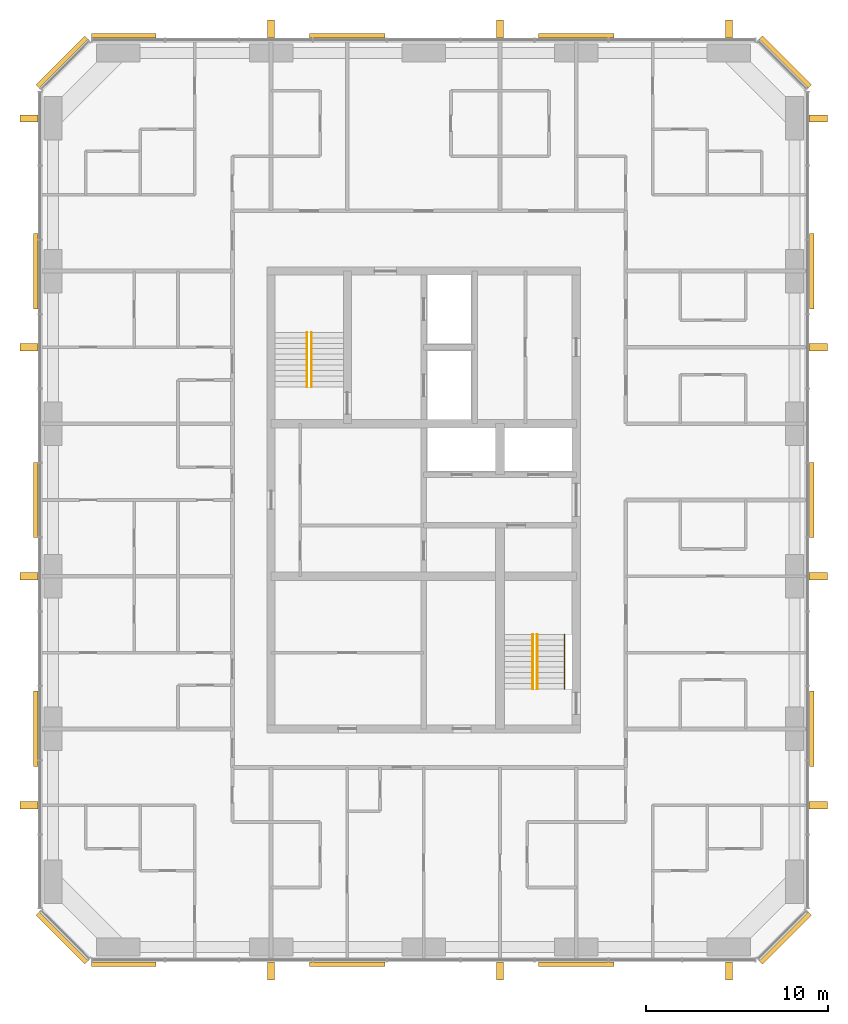
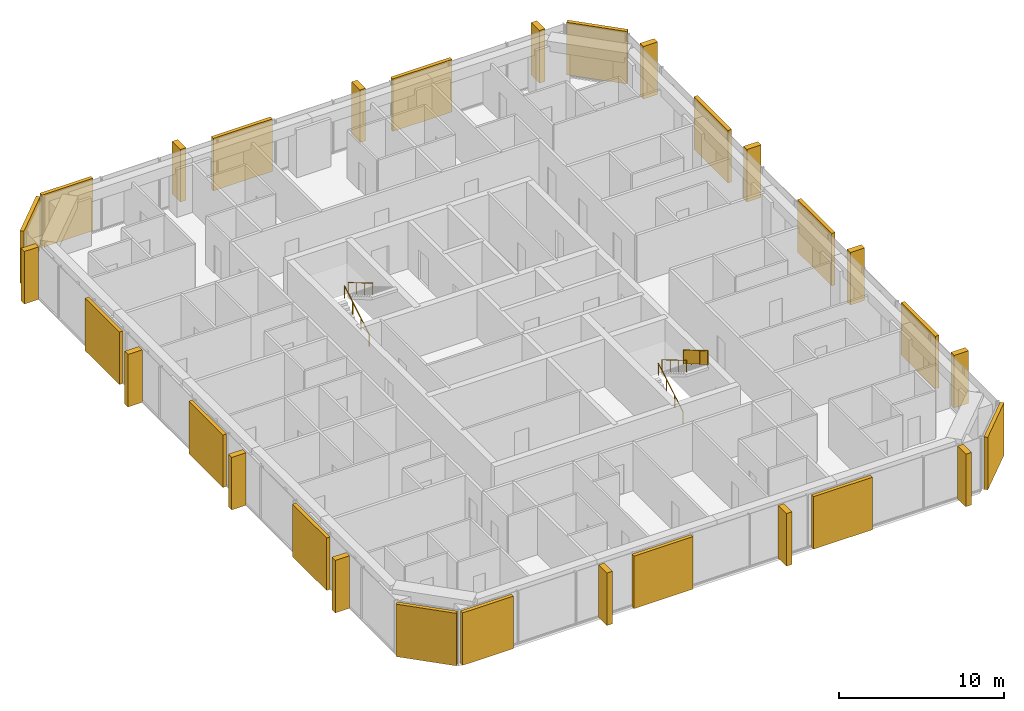
# One storey, part 12 of 12: 16 coverings, 14 shading devices, 5 railings.
"""IFC4 building model written with IfcOpenShell, lengths in metres."""

from ifc_helpers import new_model, si_unit, direction, frame, origin, origin_2d, place, context, subcontext, project, spatial, polyline, rectangle, circle, outline, extrude, material, layer, layer_set, type_object, element, save


model = new_model("IFC4")

# Units and contexts
model_context = context("Model", 3, precision=1e-05, world=origin(), true_north=direction((0.0, 1.0)))
body_context = subcontext(model_context, "Body", "Model", "MODEL_VIEW")
ifc_project = project(units=[si_unit("LENGTHUNIT", "METRE"), si_unit("AREAUNIT", "SQUARE_METRE"), si_unit("VOLUMEUNIT", "CUBIC_METRE"), si_unit("PLANEANGLEUNIT", "RADIAN"), si_unit("MASSUNIT", "GRAM", prefix="KILO")], contexts=[model_context])

# Site, building, storey
site_placement = place(None, origin())
site = spatial("IfcSite", under=ifc_project, at=site_placement, CompositionType="ELEMENT")
building_placement = place(site_placement, origin())
building = spatial("IfcBuilding", under=site, at=building_placement, Name="Dunama Terrace Hotel", CompositionType="ELEMENT")
storey_placement = place(building_placement, frame((0.0, 0.0, 252.89990234375)))
storey = spatial("IfcBuildingStorey", under=building, at=storey_placement, Name="L65", CompositionType="ELEMENT", Elevation=252.89990234375)

# Railings
ifc_material_1 = material(Name="Stainless steel and laminated glass guard", Category="steel")
railing_type_1 = type_object("IfcRailingType", Name="Guard 1100", PredefinedType="GUARDRAIL", material=ifc_material_1)
railing_1_placement = place(storey_placement, frame((41.35009765625, 22.0, 2.12744140625)))
element("IfcRailing", 1, at=railing_1_placement, inside=storey, type_object=railing_type_1, Name="Stair guard ST2 L65", PredefinedType="GUARDRAIL", context=body_context, shape_type="SweptSolid", body=[
    extrude(circle(Radius=0.02392578125, at=origin_2d()), frame((0.0, 0.0, 1.076171875), z_axis=(0.0, -0.86092931783, 0.508724591208), x_axis=(1.0, 0.0, 0.0)), (0.0, 0.0, 1.0), 3.484619140625),
    extrude(circle(Radius=0.02099609375, at=origin_2d()), origin(), (0.0, 0.0, 1.0), 1.052001953125),
    extrude(circle(Radius=0.02099609375, at=origin_2d()), frame((0.0, -1.0, 0.5908203125)), (0.0, 0.0, 1.0), 1.052001953125),
    extrude(circle(Radius=0.02099609375, at=origin_2d()), frame((0.0, -2.0, 1.181884765625)), (0.0, 0.0, 1.0), 1.052001953125),
    extrude(circle(Radius=0.02099609375, at=origin_2d()), frame((0.0, -3.0, 1.772705078125)), (0.0, 0.0, 1.0), 1.052001953125),
    extrude(outline(polyline([(0.0048828125, 0.052978515625), (0.9951171875, 0.63818359375), (0.9951171875, 1.6640625), (0.0048828125, 1.078857421875), (0.0048828125, 0.052978515625)])), frame((0.0087890625, 0.0, 0.0), z_axis=(-1.0, 0.0, 0.0), x_axis=(0.0, -1.0, 0.0)), (0.0, 0.0, 1.0), 0.017578125),
    extrude(outline(polyline([(0.0048828125, 0.052978515625), (0.9951171875, 0.63818359375), (0.9951171875, 1.6640625), (0.0048828125, 1.078857421875), (0.0048828125, 0.052978515625)])), frame((0.0087890625, -1.0, 0.5908203125), z_axis=(-1.0, 0.0, 0.0), x_axis=(0.0, -1.0, 0.0)), (0.0, 0.0, 1.0), 0.017578125),
    extrude(outline(polyline([(0.0048828125, 0.052978515625), (0.9951171875, 0.63818359375), (0.9951171875, 1.6640625), (0.0048828125, 1.078857421875), (0.0048828125, 0.052978515625)])), frame((0.0087890625, -2.0, 1.181884765625), z_axis=(-1.0, 0.0, 0.0), x_axis=(0.0, -1.0, 0.0)), (0.0, 0.0, 1.0), 0.017578125),
])
ifc_material_2 = material(Name="Stainless steel handrail", Category="steel")
railing_type_2 = type_object("IfcRailingType", Name="Stair handrail 900", PredefinedType="HANDRAIL", material=ifc_material_2)
railing_2_placement = place(storey_placement, frame((27.175048828125, 35.625, 0.177490234375)))
element("IfcRailing", 2, at=railing_2_placement, inside=storey, type_object=railing_type_2, Name="Handrail ST1 L65", PredefinedType="HANDRAIL", context=body_context, shape_type="SweptSolid", body=[
    extrude(circle(Radius=0.02392578125, at=origin_2d()), frame((0.0, 0.0, 0.8759765625), z_axis=(0.0, 0.86092931783, 0.508724591208), x_axis=(-1.0, 0.0, 0.0)), (0.0, 0.0, 1.0), 3.484619140625),
    extrude(circle(Radius=0.02099609375, at=origin_2d()), origin(), (0.0, 0.0, 1.0), 0.851806640625),
    extrude(circle(Radius=0.02099609375, at=origin_2d()), frame((0.0, 1.0, 0.5908203125)), (0.0, 0.0, 1.0), 0.851806640625),
    extrude(circle(Radius=0.02099609375, at=origin_2d()), frame((0.0, 2.0, 1.181884765625)), (0.0, 0.0, 1.0), 0.851806640625),
    extrude(circle(Radius=0.02099609375, at=origin_2d()), frame((0.0, 3.0, 1.772705078125)), (0.0, 0.0, 1.0), 0.851806640625),
])
railing_3_placement = place(storey_placement, frame((27.425048828125, 38.625, 2.12744140625)))
element("IfcRailing", 3, at=railing_3_placement, inside=storey, type_object=railing_type_2, Name="Handrail ST1 L65", PredefinedType="HANDRAIL", context=body_context, shape_type="SweptSolid", body=[
    extrude(circle(Radius=0.02392578125, at=origin_2d()), frame((0.0, 0.0, 0.8759765625), z_axis=(0.0, -0.86092931783, 0.508724591208), x_axis=(1.0, 0.0, 0.0)), (0.0, 0.0, 1.0), 3.484619140625),
    extrude(circle(Radius=0.02099609375, at=origin_2d()), origin(), (0.0, 0.0, 1.0), 0.851806640625),
    extrude(circle(Radius=0.02099609375, at=origin_2d()), frame((0.0, -1.0, 0.5908203125)), (0.0, 0.0, 1.0), 0.851806640625),
    extrude(circle(Radius=0.02099609375, at=origin_2d()), frame((0.0, -2.0, 1.181884765625)), (0.0, 0.0, 1.0), 0.851806640625),
    extrude(circle(Radius=0.02099609375, at=origin_2d()), frame((0.0, -3.0, 1.772705078125)), (0.0, 0.0, 1.0), 0.851806640625),
])
railing_4_placement = place(storey_placement, frame((39.60009765625, 19.0, 0.177490234375)))
element("IfcRailing", 4, at=railing_4_placement, inside=storey, type_object=railing_type_2, Name="Handrail ST2 L65", PredefinedType="HANDRAIL", context=body_context, shape_type="SweptSolid", body=[
    extrude(circle(Radius=0.02392578125, at=origin_2d()), frame((0.0, 0.0, 0.8759765625), z_axis=(0.0, 0.86092931783, 0.508724591208), x_axis=(-1.0, 0.0, 0.0)), (0.0, 0.0, 1.0), 3.484619140625),
    extrude(circle(Radius=0.02099609375, at=origin_2d()), origin(), (0.0, 0.0, 1.0), 0.851806640625),
    extrude(circle(Radius=0.02099609375, at=origin_2d()), frame((0.0, 1.0, 0.5908203125)), (0.0, 0.0, 1.0), 0.851806640625),
    extrude(circle(Radius=0.02099609375, at=origin_2d()), frame((0.0, 2.0, 1.181884765625)), (0.0, 0.0, 1.0), 0.851806640625),
    extrude(circle(Radius=0.02099609375, at=origin_2d()), frame((0.0, 3.0, 1.772705078125)), (0.0, 0.0, 1.0), 0.851806640625),
])
railing_5_placement = place(storey_placement, frame((39.85009765625, 22.0, 2.12744140625)))
element("IfcRailing", 5, at=railing_5_placement, inside=storey, type_object=railing_type_2, Name="Handrail ST2 L65", PredefinedType="HANDRAIL", context=body_context, shape_type="SweptSolid", body=[
    extrude(circle(Radius=0.02392578125, at=origin_2d()), frame((0.0, 0.0, 0.8759765625), z_axis=(0.0, -0.86092931783, 0.508724591208), x_axis=(1.0, 0.0, 0.0)), (0.0, 0.0, 1.0), 3.484619140625),
    extrude(circle(Radius=0.02099609375, at=origin_2d()), origin(), (0.0, 0.0, 1.0), 0.851806640625),
    extrude(circle(Radius=0.02099609375, at=origin_2d()), frame((0.0, -1.0, 0.5908203125)), (0.0, 0.0, 1.0), 0.851806640625),
    extrude(circle(Radius=0.02099609375, at=origin_2d()), frame((0.0, -2.0, 1.181884765625)), (0.0, 0.0, 1.0), 0.851806640625),
    extrude(circle(Radius=0.02099609375, at=origin_2d()), frame((0.0, -3.0, 1.772705078125)), (0.0, 0.0, 1.0), 0.851806640625),
])

# Coverings
ifc_material_3 = material(Name="Warm reconstituted stone panel", Category="masonry")
ifc_layer_1 = layer(ifc_material_3, 0.25)
ifc_layer_set_1 = layer_set([ifc_layer_1], Name="Stone diagonal panel")
covering_type = type_object("IfcCoveringType", Name="Stone diagonal panel", PredefinedType="CLADDING", material=ifc_layer_set_1)
covering_1_placement = place(storey_placement, frame((17.090087890625, 3.8369140625, 0.002197265625), z_axis=(0.0, 0.0, 1.0), x_axis=(1.0, 0.0, 0.0)))
element("IfcCovering", 6, at=covering_1_placement, inside=storey, type_object=covering_type, Name="Stone diagonal panel L65", PredefinedType="CLADDING", context=body_context, shape_type="SweptSolid", body=[
    extrude(rectangle(XDim=3.570068359375, YDim=0.25, at=origin_2d()), origin(), (0.0, 0.0, 1.0), 3.89599609375),
])
for number, where, z_axis, x_axis, name in (
    (7, (29.39990234375, 3.8369140625, 0.002197265625), (0.0, 0.0, 1.0), (1.0, 0.0, 0.0), "Stone diagonal panel L65"),
    (8, (42.0, 3.8369140625, 0.002197265625), (0.0, 0.0, 1.0), (1.0, 0.0, 0.0), "Stone diagonal panel L65"),
):
    element("IfcCovering", number, at=place(storey_placement, frame(where, z_axis=z_axis, x_axis=x_axis)), inside=storey, type_object=covering_type, Name=name, PredefinedType="CLADDING", context=body_context, shape_type="SweptSolid", body=[
        extrude(rectangle(XDim=4.14990234375, YDim=0.25, at=origin_2d()), origin(), (0.0, 0.0, 1.0), 3.89599609375),
    ])
covering_2_placement = place(storey_placement, frame((53.507080078125, 5.29296875, 0.002197265625), z_axis=(0.0, 0.0, 1.0), x_axis=(0.707106781187, 0.707106781187, 0.0)))
element("IfcCovering", 9, at=covering_2_placement, inside=storey, type_object=covering_type, Name="Stone diagonal panel L65", PredefinedType="CLADDING", context=body_context, shape_type="SweptSolid", body=[
    extrude(rectangle(XDim=3.808349609375, YDim=0.25, at=origin_2d()), origin(), (0.0, 0.0, 1.0), 3.89599609375),
])
for number, where, z_axis, x_axis, name in (
    (10, (54.962890625, 16.800048828125, 0.002197265625), (0.0, 0.0, 1.0), (0.0, 1.0, 0.0), "Stone diagonal panel L65"),
    (11, (54.962890625, 29.39990234375, 0.002197265625), (0.0, 0.0, 1.0), (0.0, 1.0, 0.0), "Stone diagonal panel L65"),
    (12, (54.962890625, 42.0, 0.002197265625), (0.0, 0.0, 1.0), (0.0, 1.0, 0.0), "Stone diagonal panel L65"),
):
    element("IfcCovering", number, at=place(storey_placement, frame(where, z_axis=z_axis, x_axis=x_axis)), inside=storey, type_object=covering_type, Name=name, PredefinedType="CLADDING", context=body_context, shape_type="SweptSolid", body=[
        extrude(rectangle(XDim=4.14990234375, YDim=0.25, at=origin_2d()), origin(), (0.0, 0.0, 1.0), 3.89599609375),
    ])
covering_3_placement = place(storey_placement, frame((53.507080078125, 53.507080078125, 0.002197265625), z_axis=(0.0, 0.0, 1.0), x_axis=(-0.707106781187, 0.707106781187, 0.0)))
element("IfcCovering", 13, at=covering_3_placement, inside=storey, type_object=covering_type, Name="Stone diagonal panel L65", PredefinedType="CLADDING", context=body_context, shape_type="SweptSolid", body=[
    extrude(rectangle(XDim=3.808349609375, YDim=0.25, at=origin_2d()), origin(), (0.0, 0.0, 1.0), 3.89599609375),
])
for number, where, z_axis, x_axis, name in (
    (14, (42.0, 54.962890625, 0.002197265625), (0.0, 0.0, 1.0), (-1.0, 0.0, 0.0), "Stone diagonal panel L65"),
    (15, (29.39990234375, 54.962890625, 0.002197265625), (0.0, 0.0, 1.0), (-1.0, 0.0, 0.0), "Stone diagonal panel L65"),
):
    element("IfcCovering", number, at=place(storey_placement, frame(where, z_axis=z_axis, x_axis=x_axis)), inside=storey, type_object=covering_type, Name=name, PredefinedType="CLADDING", context=body_context, shape_type="SweptSolid", body=[
        extrude(rectangle(XDim=4.14990234375, YDim=0.25, at=origin_2d()), origin(), (0.0, 0.0, 1.0), 3.89599609375),
    ])
covering_4_placement = place(storey_placement, frame((17.090087890625, 54.962890625, 0.002197265625), z_axis=(0.0, 0.0, 1.0), x_axis=(-1.0, 0.0, 0.0)))
element("IfcCovering", 16, at=covering_4_placement, inside=storey, type_object=covering_type, Name="Stone diagonal panel L65", PredefinedType="CLADDING", context=body_context, shape_type="SweptSolid", body=[
    extrude(rectangle(XDim=3.570068359375, YDim=0.25, at=origin_2d()), origin(), (0.0, 0.0, 1.0), 3.89599609375),
])
covering_5_placement = place(storey_placement, frame((13.693115234375, 53.507080078125, 0.002197265625), z_axis=(0.0, 0.0, 1.0), x_axis=(-0.707106781187, -0.707106781187, 0.0)))
element("IfcCovering", 17, at=covering_5_placement, inside=storey, type_object=covering_type, Name="Stone diagonal panel L65", PredefinedType="CLADDING", context=body_context, shape_type="SweptSolid", body=[
    extrude(rectangle(XDim=3.808349609375, YDim=0.25, at=origin_2d()), origin(), (0.0, 0.0, 1.0), 3.89599609375),
])
for number, where, z_axis, x_axis, name in (
    (18, (12.237060546875, 42.0, 0.002197265625), (0.0, 0.0, 1.0), (0.0, -1.0, 0.0), "Stone diagonal panel L65"),
    (19, (12.237060546875, 29.39990234375, 0.002197265625), (0.0, 0.0, 1.0), (0.0, -1.0, 0.0), "Stone diagonal panel L65"),
    (20, (12.237060546875, 16.800048828125, 0.002197265625), (0.0, 0.0, 1.0), (0.0, -1.0, 0.0), "Stone diagonal panel L65"),
):
    element("IfcCovering", number, at=place(storey_placement, frame(where, z_axis=z_axis, x_axis=x_axis)), inside=storey, type_object=covering_type, Name=name, PredefinedType="CLADDING", context=body_context, shape_type="SweptSolid", body=[
        extrude(rectangle(XDim=4.14990234375, YDim=0.25, at=origin_2d()), origin(), (0.0, 0.0, 1.0), 3.89599609375),
    ])
covering_6_placement = place(storey_placement, frame((13.693115234375, 5.29296875, 0.002197265625), z_axis=(0.0, 0.0, 1.0), x_axis=(0.707106781187, -0.707106781187, 0.0)))
element("IfcCovering", 21, at=covering_6_placement, inside=storey, type_object=covering_type, Name="Stone diagonal panel L65", PredefinedType="CLADDING", context=body_context, shape_type="SweptSolid", body=[
    extrude(rectangle(XDim=3.808349609375, YDim=0.25, at=origin_2d()), origin(), (0.0, 0.0, 1.0), 3.89599609375),
])

# Shading devices
ifc_material_4 = material(Name="Warm reconstituted stone fin", Category="masonry")
ifc_layer_2 = layer(ifc_material_4, 0.39990234375)
ifc_layer_set_2 = layer_set([ifc_layer_2], Name="Warm stone fin 400x1000")
shading_device_type = type_object("IfcShadingDeviceType", Name="Warm stone fin 400x1000", PredefinedType="USERDEFINED", material=ifc_layer_set_2)
for number, where, z_axis, x_axis, name in (
    (22, (25.199951171875, 3.48193359375, 0.000244140625), (0.0, 0.0, 1.0), (1.0, 0.0, 0.0), "Stone fin"),
    (23, (37.800048828125, 3.48193359375, 0.000244140625), (0.0, 0.0, 1.0), (1.0, 0.0, 0.0), "Stone fin"),
    (24, (50.39990234375, 3.48193359375, 0.000244140625), (0.0, 0.0, 1.0), (1.0, 0.0, 0.0), "Stone fin"),
    (25, (55.318115234375, 12.60009765625, 0.000244140625), (0.0, 0.0, 1.0), (0.0, 1.0, 0.0), "Stone fin"),
    (26, (55.318115234375, 25.199951171875, 0.000244140625), (0.0, 0.0, 1.0), (0.0, 1.0, 0.0), "Stone fin"),
    (27, (55.318115234375, 37.800048828125, 0.000244140625), (0.0, 0.0, 1.0), (0.0, 1.0, 0.0), "Stone fin"),
    (28, (55.318115234375, 50.39990234375, 0.000244140625), (0.0, 0.0, 1.0), (0.0, 1.0, 0.0), "Stone fin"),
    (29, (50.39990234375, 55.318115234375, 0.000244140625), (0.0, 0.0, 1.0), (-1.0, 0.0, 0.0), "Stone fin"),
    (30, (37.800048828125, 55.318115234375, 0.000244140625), (0.0, 0.0, 1.0), (-1.0, 0.0, 0.0), "Stone fin"),
    (31, (25.199951171875, 55.318115234375, 0.000244140625), (0.0, 0.0, 1.0), (-1.0, 0.0, 0.0), "Stone fin"),
    (32, (11.882080078125, 50.39990234375, 0.000244140625), (0.0, 0.0, 1.0), (0.0, -1.0, 0.0), "Stone fin"),
    (33, (11.882080078125, 37.800048828125, 0.000244140625), (0.0, 0.0, 1.0), (0.0, -1.0, 0.0), "Stone fin"),
    (34, (11.882080078125, 25.199951171875, 0.000244140625), (0.0, 0.0, 1.0), (0.0, -1.0, 0.0), "Stone fin"),
    (35, (11.882080078125, 12.60009765625, 0.000244140625), (0.0, 0.0, 1.0), (0.0, -1.0, 0.0), "Stone fin"),
):
    element("IfcShadingDevice", number, at=place(storey_placement, frame(where, z_axis=z_axis, x_axis=x_axis)), inside=storey, type_object=shading_device_type, Name=name, ObjectType="FIN", PredefinedType="USERDEFINED", context=body_context, shape_type="SweptSolid", body=[
        extrude(rectangle(XDim=0.39990234375, YDim=1.0, at=origin_2d()), origin(), (0.0, 0.0, 1.0), 3.89990234375),
    ])

save(model, "model.ifc")
